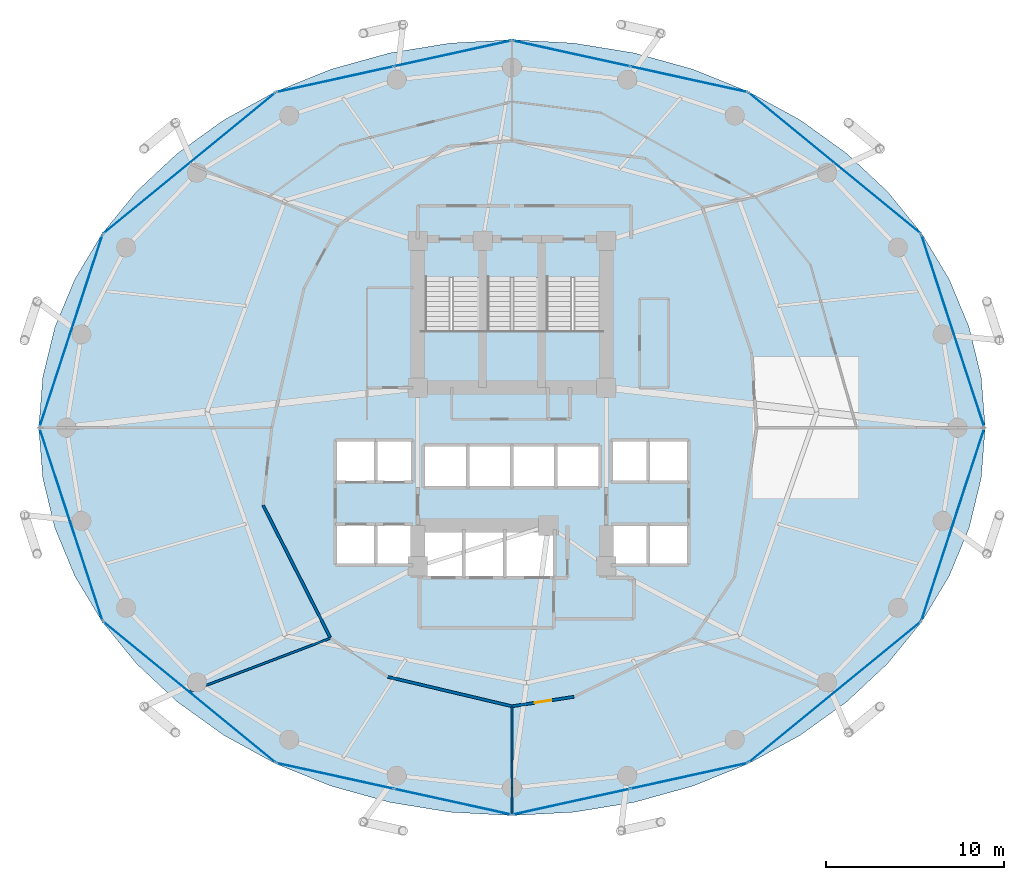
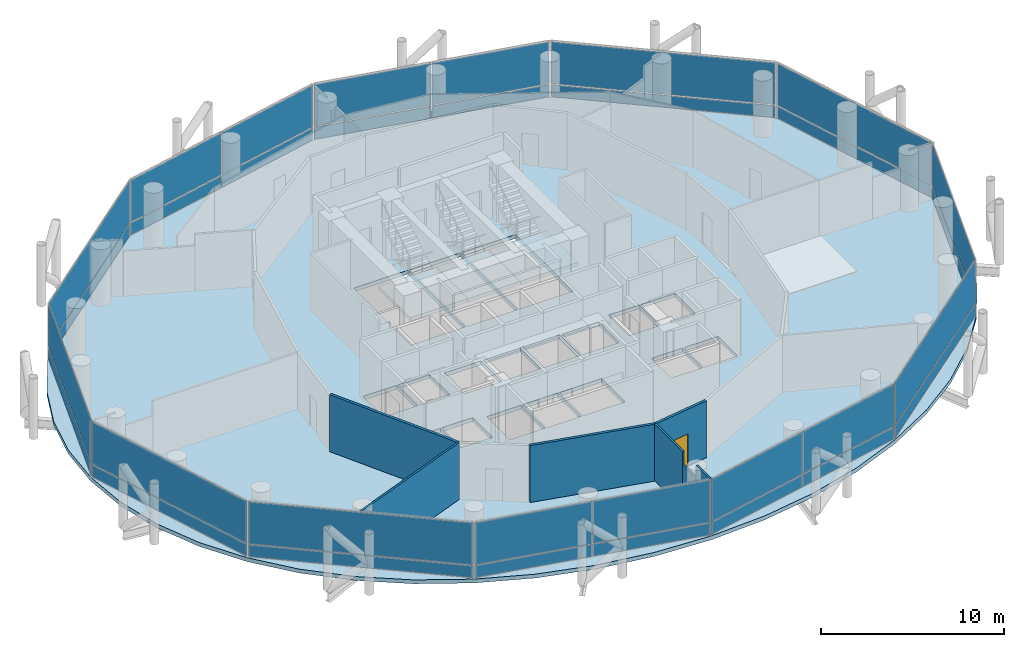
# One storey, part 20 of 26: 32 plates, 7 walls, 4 slabs, 1 door, 1 opening, 15 elements without a shape of their own.
"""IFC4 building model written with IfcOpenShell, lengths in metres."""

from ifc_helpers import new_model, si_unit, direction, frame, frame_2d, origin, origin_2d, place, context, subcontext, project, spatial, polyline, rectangle, outline, extrude, material, layer, layer_set, type_object, element, fill, aggregate, save


model = new_model("IFC4")

# Units and contexts
model_context = context("Model", 3, precision=1e-05, world=origin(), true_north=direction((0.0, 1.0)))
body_context = subcontext(model_context, "Body", "Model", "MODEL_VIEW")
ifc_project = project(units=[si_unit("LENGTHUNIT", "METRE"), si_unit("AREAUNIT", "SQUARE_METRE"), si_unit("VOLUMEUNIT", "CUBIC_METRE"), si_unit("PLANEANGLEUNIT", "RADIAN"), si_unit("MASSUNIT", "GRAM", prefix="KILO")], contexts=[model_context])

# Site, building, storey
site_placement = place(None, origin())
site = spatial("IfcSite", under=ifc_project, at=site_placement, CompositionType="ELEMENT")
building_placement = place(site_placement, origin())
building = spatial("IfcBuilding", under=site, at=building_placement, Name="Nuhasar Tower", CompositionType="ELEMENT")
storey_placement = place(building_placement, frame((0.0, 0.0, 53.39990234375)))
storey = spatial("IfcBuildingStorey", under=building, at=storey_placement, Name="L12", CompositionType="ELEMENT", Elevation=53.39990234375)

# Curtain wall, plate
ifc_material_1 = material(Name="Aluminium 6063-T6", Category="aluminium")
ifc_layer_1 = layer(ifc_material_1, 0.199951171875)
ifc_layer_set_1 = layer_set([ifc_layer_1], Name="Aluminium 6063-T6")
curtain_wall_type = type_object("IfcCurtainWallType", Name="CW-Z1-OFF", PredefinedType="NOTDEFINED", material=ifc_layer_set_1)
curtain_wall_1_placement = place(storey_placement, origin())
curtain_wall_1 = element("IfcCurtainWall", 1, at=curtain_wall_1_placement, inside=storey, type_object=curtain_wall_type, Name="L12 Unitised Curtain Wall 01", PredefinedType="NOTDEFINED")
ifc_material_2 = material(Name="Glass Double Low-E", Category="glass")
ifc_layer_2 = layer(ifc_material_2, 0.028076171875)
ifc_layer_set_2 = layer_set([ifc_layer_2], Name="Glass Double Low-E")
plate_type_1 = type_object("IfcPlateType", Name="CW-PANEL-GLZ", PredefinedType="CURTAIN_PANEL", material=ifc_layer_set_2)
plate_1_placement = place(storey_placement, frame((63.781005859375, 32.239990234375, 0.9326171875), z_axis=(0.0, 0.0, 1.0), x_axis=(-0.310823849997, 0.950467534571, 0.0)))
plate_1 = element("IfcPlate", 2, at=plate_1_placement, type_object=plate_type_1, Name="CW-Z1 panel 1.2", PredefinedType="CURTAIN_PANEL", context=body_context, shape_type="SweptSolid", body=[
    extrude(rectangle(XDim=11.31689453125, YDim=0.028076171875, at=origin_2d()), origin(), (0.0, 0.0, 1.0), 2.802490234375),
])

curtain_wall_2_placement = place(storey_placement, origin())
curtain_wall_2 = element("IfcCurtainWall", 3, at=curtain_wall_2_placement, inside=storey, type_object=curtain_wall_type, Name="L12 Unitised Curtain Wall 02", PredefinedType="NOTDEFINED")
plate_2_placement = place(storey_placement, frame((57.14111328125, 41.66259765625, 0.9326171875), z_axis=(0.0, 0.0, 1.0), x_axis=(-0.773542364946, 0.633744593376, 0.0)))
plate_2 = element("IfcPlate", 4, at=plate_2_placement, type_object=plate_type_1, Name="CW-Z1 panel 1.2", PredefinedType="CURTAIN_PANEL", context=body_context, shape_type="SweptSolid", body=[
    extrude(rectangle(XDim=12.438232421875, YDim=0.028076171875, at=origin_2d()), origin(), (0.0, 0.0, 1.0), 2.802490234375),
])

# Curtain wall, plates
curtain_wall_3_placement = place(storey_placement, origin())
curtain_wall_3 = element("IfcCurtainWall", 5, at=curtain_wall_3_placement, inside=storey, type_object=curtain_wall_type, Name="L12 Unitised Curtain Wall 03", PredefinedType="NOTDEFINED")
plate_3_placement = place(storey_placement, frame((48.944091796875, 46.377197265625, 0.9326171875), z_axis=(0.0, 0.0, 1.0), x_axis=(-0.976746221544, 0.214398737637, 0.0)))
plate_3 = element("IfcPlate", 6, at=plate_3_placement, type_object=plate_type_1, Name="CW-Z1 panel 1.2", PredefinedType="CURTAIN_PANEL", context=body_context, shape_type="SweptSolid", body=[
    extrude(rectangle(XDim=6.70068359375, YDim=0.028076171875, at=origin_2d()), origin(), (0.0, 0.0, 1.0), 2.802490234375),
])
plate_4_placement = place(storey_placement, frame((42.3359375, 47.827880859375, 0.9326171875), z_axis=(0.0, 0.0, 1.0), x_axis=(-0.976746221544, 0.214398737637, 0.0)))
plate_4 = element("IfcPlate", 7, at=plate_4_placement, type_object=plate_type_1, Name="CW-Z1 panel 2.2", PredefinedType="CURTAIN_PANEL", context=body_context, shape_type="SweptSolid", body=[
    extrude(rectangle(XDim=6.70068359375, YDim=0.028076171875, at=origin_2d()), origin(), (0.0, 0.0, 1.0), 2.802490234375),
])

curtain_wall_4_placement = place(storey_placement, origin())
curtain_wall_4 = element("IfcCurtainWall", 8, at=curtain_wall_4_placement, inside=storey, type_object=curtain_wall_type, Name="L12 Unitised Curtain Wall 04", PredefinedType="NOTDEFINED")
plate_5_placement = place(storey_placement, frame((35.6640625, 47.827880859375, 0.9326171875), z_axis=(0.0, 0.0, 1.0), x_axis=(-0.976746221544, -0.214398737637, 0.0)))
plate_5 = element("IfcPlate", 9, at=plate_5_placement, type_object=plate_type_1, Name="CW-Z1 panel 1.2", PredefinedType="CURTAIN_PANEL", context=body_context, shape_type="SweptSolid", body=[
    extrude(rectangle(XDim=6.70068359375, YDim=0.028076171875, at=origin_2d()), origin(), (0.0, 0.0, 1.0), 2.802490234375),
])
plate_6_placement = place(storey_placement, frame((29.055908203125, 46.377197265625, 0.9326171875), z_axis=(0.0, 0.0, 1.0), x_axis=(-0.976746221544, -0.214398737637, 0.0)))
plate_6 = element("IfcPlate", 10, at=plate_6_placement, type_object=plate_type_1, Name="CW-Z1 panel 2.2", PredefinedType="CURTAIN_PANEL", context=body_context, shape_type="SweptSolid", body=[
    extrude(rectangle(XDim=6.70068359375, YDim=0.028076171875, at=origin_2d()), origin(), (0.0, 0.0, 1.0), 2.802490234375),
])

# Curtain wall, plate
curtain_wall_5_placement = place(storey_placement, origin())
curtain_wall_5 = element("IfcCurtainWall", 11, at=curtain_wall_5_placement, inside=storey, type_object=curtain_wall_type, Name="L12 Unitised Curtain Wall 05", PredefinedType="NOTDEFINED")
plate_7_placement = place(storey_placement, frame((20.85888671875, 41.66259765625, 0.9326171875), z_axis=(0.0, 0.0, 1.0), x_axis=(-0.773542364946, -0.633744593376, 0.0)))
plate_7 = element("IfcPlate", 12, at=plate_7_placement, type_object=plate_type_1, Name="CW-Z1 panel 1.2", PredefinedType="CURTAIN_PANEL", context=body_context, shape_type="SweptSolid", body=[
    extrude(rectangle(XDim=12.438232421875, YDim=0.028076171875, at=origin_2d()), origin(), (0.0, 0.0, 1.0), 2.802490234375),
])

curtain_wall_6_placement = place(storey_placement, origin())
curtain_wall_6 = element("IfcCurtainWall", 13, at=curtain_wall_6_placement, inside=storey, type_object=curtain_wall_type, Name="L12 Unitised Curtain Wall 06", PredefinedType="NOTDEFINED")
plate_8_placement = place(storey_placement, frame((14.218994140625, 32.239990234375, 0.9326171875), z_axis=(0.0, 0.0, 1.0), x_axis=(-0.310823849997, -0.950467534571, 0.0)))
plate_8 = element("IfcPlate", 14, at=plate_8_placement, type_object=plate_type_1, Name="CW-Z1 panel 1.2", PredefinedType="CURTAIN_PANEL", context=body_context, shape_type="SweptSolid", body=[
    extrude(rectangle(XDim=11.31689453125, YDim=0.028076171875, at=origin_2d()), origin(), (0.0, 0.0, 1.0), 2.802490234375),
])

curtain_wall_7_placement = place(storey_placement, origin())
curtain_wall_7 = element("IfcCurtainWall", 15, at=curtain_wall_7_placement, inside=storey, type_object=curtain_wall_type, Name="L12 Unitised Curtain Wall 07", PredefinedType="NOTDEFINED")
plate_9_placement = place(storey_placement, frame((14.218994140625, 21.360107421875, 0.9326171875), z_axis=(0.0, 0.0, 1.0), x_axis=(0.310823849997, -0.950467534571, 0.0)))
plate_9 = element("IfcPlate", 16, at=plate_9_placement, type_object=plate_type_1, Name="CW-Z1 panel 1.2", PredefinedType="CURTAIN_PANEL", context=body_context, shape_type="SweptSolid", body=[
    extrude(rectangle(XDim=11.31689453125, YDim=0.028076171875, at=origin_2d()), origin(), (0.0, 0.0, 1.0), 2.802490234375),
])

curtain_wall_8_placement = place(storey_placement, origin())
curtain_wall_8 = element("IfcCurtainWall", 17, at=curtain_wall_8_placement, inside=storey, type_object=curtain_wall_type, Name="L12 Unitised Curtain Wall 08", PredefinedType="NOTDEFINED")
plate_10_placement = place(storey_placement, frame((20.85888671875, 11.9375, 0.9326171875), z_axis=(0.0, 0.0, 1.0), x_axis=(0.773542364946, -0.633744593376, 0.0)))
plate_10 = element("IfcPlate", 18, at=plate_10_placement, type_object=plate_type_1, Name="CW-Z1 panel 1.2", PredefinedType="CURTAIN_PANEL", context=body_context, shape_type="SweptSolid", body=[
    extrude(rectangle(XDim=12.438232421875, YDim=0.028076171875, at=origin_2d()), origin(), (0.0, 0.0, 1.0), 2.802490234375),
])

# Curtain wall, plates
curtain_wall_9_placement = place(storey_placement, origin())
curtain_wall_9 = element("IfcCurtainWall", 19, at=curtain_wall_9_placement, inside=storey, type_object=curtain_wall_type, Name="L12 Unitised Curtain Wall 09", PredefinedType="NOTDEFINED")
plate_11_placement = place(storey_placement, frame((29.055908203125, 7.22265625, 0.9326171875), z_axis=(0.0, 0.0, 1.0), x_axis=(0.976746221544, -0.214398737637, 0.0)))
plate_11 = element("IfcPlate", 20, at=plate_11_placement, type_object=plate_type_1, Name="CW-Z1 panel 1.2", PredefinedType="CURTAIN_PANEL", context=body_context, shape_type="SweptSolid", body=[
    extrude(rectangle(XDim=6.70068359375, YDim=0.028076171875, at=origin_2d()), origin(), (0.0, 0.0, 1.0), 2.802490234375),
])
plate_12_placement = place(storey_placement, frame((35.6640625, 5.772216796875, 0.9326171875), z_axis=(0.0, 0.0, 1.0), x_axis=(0.976746221544, -0.214398737637, 0.0)))
plate_12 = element("IfcPlate", 21, at=plate_12_placement, type_object=plate_type_1, Name="CW-Z1 panel 2.2", PredefinedType="CURTAIN_PANEL", context=body_context, shape_type="SweptSolid", body=[
    extrude(rectangle(XDim=6.70068359375, YDim=0.028076171875, at=origin_2d()), origin(), (0.0, 0.0, 1.0), 2.802490234375),
])

curtain_wall_10_placement = place(storey_placement, origin())
curtain_wall_10 = element("IfcCurtainWall", 22, at=curtain_wall_10_placement, inside=storey, type_object=curtain_wall_type, Name="L12 Unitised Curtain Wall 10", PredefinedType="NOTDEFINED")
plate_13_placement = place(storey_placement, frame((42.3359375, 5.772216796875, 0.9326171875), z_axis=(0.0, 0.0, 1.0), x_axis=(0.976746221544, 0.214398737637, 0.0)))
plate_13 = element("IfcPlate", 23, at=plate_13_placement, type_object=plate_type_1, Name="CW-Z1 panel 1.2", PredefinedType="CURTAIN_PANEL", context=body_context, shape_type="SweptSolid", body=[
    extrude(rectangle(XDim=6.70068359375, YDim=0.028076171875, at=origin_2d()), origin(), (0.0, 0.0, 1.0), 2.802490234375),
])
plate_14_placement = place(storey_placement, frame((48.944091796875, 7.22265625, 0.9326171875), z_axis=(0.0, 0.0, 1.0), x_axis=(0.976746221544, 0.214398737637, 0.0)))
plate_14 = element("IfcPlate", 24, at=plate_14_placement, type_object=plate_type_1, Name="CW-Z1 panel 2.2", PredefinedType="CURTAIN_PANEL", context=body_context, shape_type="SweptSolid", body=[
    extrude(rectangle(XDim=6.70068359375, YDim=0.028076171875, at=origin_2d()), origin(), (0.0, 0.0, 1.0), 2.802490234375),
])

# Curtain wall, plate
curtain_wall_11_placement = place(storey_placement, origin())
curtain_wall_11 = element("IfcCurtainWall", 25, at=curtain_wall_11_placement, inside=storey, type_object=curtain_wall_type, Name="L12 Unitised Curtain Wall 11", PredefinedType="NOTDEFINED")
plate_15_placement = place(storey_placement, frame((57.14111328125, 11.9375, 0.9326171875), z_axis=(0.0, 0.0, 1.0), x_axis=(0.773542364946, 0.633744593376, 0.0)))
plate_15 = element("IfcPlate", 26, at=plate_15_placement, type_object=plate_type_1, Name="CW-Z1 panel 1.2", PredefinedType="CURTAIN_PANEL", context=body_context, shape_type="SweptSolid", body=[
    extrude(rectangle(XDim=12.438232421875, YDim=0.028076171875, at=origin_2d()), origin(), (0.0, 0.0, 1.0), 2.802490234375),
])

curtain_wall_12_placement = place(storey_placement, origin())
curtain_wall_12 = element("IfcCurtainWall", 27, at=curtain_wall_12_placement, inside=storey, type_object=curtain_wall_type, Name="L12 Unitised Curtain Wall 12", PredefinedType="NOTDEFINED")
plate_16_placement = place(storey_placement, frame((63.781005859375, 21.360107421875, 0.9326171875), z_axis=(0.0, 0.0, 1.0), x_axis=(0.310823849997, 0.950467534571, 0.0)))
plate_16 = element("IfcPlate", 28, at=plate_16_placement, type_object=plate_type_1, Name="CW-Z1 panel 1.2", PredefinedType="CURTAIN_PANEL", context=body_context, shape_type="SweptSolid", body=[
    extrude(rectangle(XDim=11.31689453125, YDim=0.028076171875, at=origin_2d()), origin(), (0.0, 0.0, 1.0), 2.802490234375),
])

# Plate
ifc_material_3 = material(Name="Glass Spandrel", Category="glass")
ifc_layer_3 = layer(ifc_material_3, 0.035888671875)
ifc_layer_set_3 = layer_set([ifc_layer_3], Name="Glass Spandrel")
plate_type_2 = type_object("IfcPlateType", Name="CW-PANEL-SPN", PredefinedType="CURTAIN_PANEL", material=ifc_layer_set_3)
plate_17_placement = place(storey_placement, frame((63.781005859375, 32.239990234375, 0.06494140625), z_axis=(0.0, 0.0, 1.0), x_axis=(-0.310823849997, 0.950467534571, 0.0)))
plate_17 = element("IfcPlate", 29, at=plate_17_placement, type_object=plate_type_2, Name="CW-Z1 panel 1.1", PredefinedType="CURTAIN_PANEL", context=body_context, shape_type="SweptSolid", body=[
    extrude(rectangle(XDim=11.31689453125, YDim=0.035888671875, at=origin_2d()), origin(), (0.0, 0.0, 1.0), 0.802490234375),
])

aggregate(curtain_wall_1, [plate_17, plate_1])

plate_18_placement = place(storey_placement, frame((57.14111328125, 41.66259765625, 0.06494140625), z_axis=(0.0, 0.0, 1.0), x_axis=(-0.773542364946, 0.633744593376, 0.0)))
plate_18 = element("IfcPlate", 30, at=plate_18_placement, type_object=plate_type_2, Name="CW-Z1 panel 1.1", PredefinedType="CURTAIN_PANEL", context=body_context, shape_type="SweptSolid", body=[
    extrude(rectangle(XDim=12.438232421875, YDim=0.035888671875, at=origin_2d()), origin(), (0.0, 0.0, 1.0), 0.802490234375),
])

aggregate(curtain_wall_2, [plate_18, plate_2])

plate_19_placement = place(storey_placement, frame((48.944091796875, 46.377197265625, 0.06494140625), z_axis=(0.0, 0.0, 1.0), x_axis=(-0.976746221544, 0.214398737637, 0.0)))
plate_19 = element("IfcPlate", 31, at=plate_19_placement, type_object=plate_type_2, Name="CW-Z1 panel 1.1", PredefinedType="CURTAIN_PANEL", context=body_context, shape_type="SweptSolid", body=[
    extrude(rectangle(XDim=6.70068359375, YDim=0.035888671875, at=origin_2d()), origin(), (0.0, 0.0, 1.0), 0.802490234375),
])

plate_20_placement = place(storey_placement, frame((42.3359375, 47.827880859375, 0.06494140625), z_axis=(0.0, 0.0, 1.0), x_axis=(-0.976746221544, 0.214398737637, 0.0)))
plate_20 = element("IfcPlate", 32, at=plate_20_placement, type_object=plate_type_2, Name="CW-Z1 panel 2.1", PredefinedType="CURTAIN_PANEL", context=body_context, shape_type="SweptSolid", body=[
    extrude(rectangle(XDim=6.70068359375, YDim=0.035888671875, at=origin_2d()), origin(), (0.0, 0.0, 1.0), 0.802490234375),
])

aggregate(curtain_wall_3, [plate_19, plate_3, plate_20, plate_4])

plate_21_placement = place(storey_placement, frame((35.6640625, 47.827880859375, 0.06494140625), z_axis=(0.0, 0.0, 1.0), x_axis=(-0.976746221544, -0.214398737637, 0.0)))
plate_21 = element("IfcPlate", 33, at=plate_21_placement, type_object=plate_type_2, Name="CW-Z1 panel 1.1", PredefinedType="CURTAIN_PANEL", context=body_context, shape_type="SweptSolid", body=[
    extrude(rectangle(XDim=6.70068359375, YDim=0.035888671875, at=origin_2d()), origin(), (0.0, 0.0, 1.0), 0.802490234375),
])

plate_22_placement = place(storey_placement, frame((29.055908203125, 46.377197265625, 0.06494140625), z_axis=(0.0, 0.0, 1.0), x_axis=(-0.976746221544, -0.214398737637, 0.0)))
plate_22 = element("IfcPlate", 34, at=plate_22_placement, type_object=plate_type_2, Name="CW-Z1 panel 2.1", PredefinedType="CURTAIN_PANEL", context=body_context, shape_type="SweptSolid", body=[
    extrude(rectangle(XDim=6.70068359375, YDim=0.035888671875, at=origin_2d()), origin(), (0.0, 0.0, 1.0), 0.802490234375),
])

aggregate(curtain_wall_4, [plate_21, plate_5, plate_22, plate_6])

plate_23_placement = place(storey_placement, frame((20.85888671875, 41.66259765625, 0.06494140625), z_axis=(0.0, 0.0, 1.0), x_axis=(-0.773542364946, -0.633744593376, 0.0)))
plate_23 = element("IfcPlate", 35, at=plate_23_placement, type_object=plate_type_2, Name="CW-Z1 panel 1.1", PredefinedType="CURTAIN_PANEL", context=body_context, shape_type="SweptSolid", body=[
    extrude(rectangle(XDim=12.438232421875, YDim=0.035888671875, at=origin_2d()), origin(), (0.0, 0.0, 1.0), 0.802490234375),
])

aggregate(curtain_wall_5, [plate_23, plate_7])

plate_24_placement = place(storey_placement, frame((14.218994140625, 32.239990234375, 0.06494140625), z_axis=(0.0, 0.0, 1.0), x_axis=(-0.310823849997, -0.950467534571, 0.0)))
plate_24 = element("IfcPlate", 36, at=plate_24_placement, type_object=plate_type_2, Name="CW-Z1 panel 1.1", PredefinedType="CURTAIN_PANEL", context=body_context, shape_type="SweptSolid", body=[
    extrude(rectangle(XDim=11.31689453125, YDim=0.035888671875, at=origin_2d()), origin(), (0.0, 0.0, 1.0), 0.802490234375),
])

aggregate(curtain_wall_6, [plate_24, plate_8])

plate_25_placement = place(storey_placement, frame((14.218994140625, 21.360107421875, 0.06494140625), z_axis=(0.0, 0.0, 1.0), x_axis=(0.310823849997, -0.950467534571, 0.0)))
plate_25 = element("IfcPlate", 37, at=plate_25_placement, type_object=plate_type_2, Name="CW-Z1 panel 1.1", PredefinedType="CURTAIN_PANEL", context=body_context, shape_type="SweptSolid", body=[
    extrude(rectangle(XDim=11.31689453125, YDim=0.035888671875, at=origin_2d()), origin(), (0.0, 0.0, 1.0), 0.802490234375),
])

aggregate(curtain_wall_7, [plate_25, plate_9])

plate_26_placement = place(storey_placement, frame((20.85888671875, 11.9375, 0.06494140625), z_axis=(0.0, 0.0, 1.0), x_axis=(0.773542364946, -0.633744593376, 0.0)))
plate_26 = element("IfcPlate", 38, at=plate_26_placement, type_object=plate_type_2, Name="CW-Z1 panel 1.1", PredefinedType="CURTAIN_PANEL", context=body_context, shape_type="SweptSolid", body=[
    extrude(rectangle(XDim=12.438232421875, YDim=0.035888671875, at=origin_2d()), origin(), (0.0, 0.0, 1.0), 0.802490234375),
])

aggregate(curtain_wall_8, [plate_26, plate_10])

plate_27_placement = place(storey_placement, frame((29.055908203125, 7.22265625, 0.06494140625), z_axis=(0.0, 0.0, 1.0), x_axis=(0.976746221544, -0.214398737637, 0.0)))
plate_27 = element("IfcPlate", 39, at=plate_27_placement, type_object=plate_type_2, Name="CW-Z1 panel 1.1", PredefinedType="CURTAIN_PANEL", context=body_context, shape_type="SweptSolid", body=[
    extrude(rectangle(XDim=6.70068359375, YDim=0.035888671875, at=origin_2d()), origin(), (0.0, 0.0, 1.0), 0.802490234375),
])

plate_28_placement = place(storey_placement, frame((35.6640625, 5.772216796875, 0.06494140625), z_axis=(0.0, 0.0, 1.0), x_axis=(0.976746221544, -0.214398737637, 0.0)))
plate_28 = element("IfcPlate", 40, at=plate_28_placement, type_object=plate_type_2, Name="CW-Z1 panel 2.1", PredefinedType="CURTAIN_PANEL", context=body_context, shape_type="SweptSolid", body=[
    extrude(rectangle(XDim=6.70068359375, YDim=0.035888671875, at=origin_2d()), origin(), (0.0, 0.0, 1.0), 0.802490234375),
])

aggregate(curtain_wall_9, [plate_27, plate_11, plate_28, plate_12])

plate_29_placement = place(storey_placement, frame((42.3359375, 5.772216796875, 0.06494140625), z_axis=(0.0, 0.0, 1.0), x_axis=(0.976746221544, 0.214398737637, 0.0)))
plate_29 = element("IfcPlate", 41, at=plate_29_placement, type_object=plate_type_2, Name="CW-Z1 panel 1.1", PredefinedType="CURTAIN_PANEL", context=body_context, shape_type="SweptSolid", body=[
    extrude(rectangle(XDim=6.70068359375, YDim=0.035888671875, at=origin_2d()), origin(), (0.0, 0.0, 1.0), 0.802490234375),
])

plate_30_placement = place(storey_placement, frame((48.944091796875, 7.22265625, 0.06494140625), z_axis=(0.0, 0.0, 1.0), x_axis=(0.976746221544, 0.214398737637, 0.0)))
plate_30 = element("IfcPlate", 42, at=plate_30_placement, type_object=plate_type_2, Name="CW-Z1 panel 2.1", PredefinedType="CURTAIN_PANEL", context=body_context, shape_type="SweptSolid", body=[
    extrude(rectangle(XDim=6.70068359375, YDim=0.035888671875, at=origin_2d()), origin(), (0.0, 0.0, 1.0), 0.802490234375),
])

aggregate(curtain_wall_10, [plate_29, plate_13, plate_30, plate_14])

plate_31_placement = place(storey_placement, frame((57.14111328125, 11.9375, 0.06494140625), z_axis=(0.0, 0.0, 1.0), x_axis=(0.773542364946, 0.633744593376, 0.0)))
plate_31 = element("IfcPlate", 43, at=plate_31_placement, type_object=plate_type_2, Name="CW-Z1 panel 1.1", PredefinedType="CURTAIN_PANEL", context=body_context, shape_type="SweptSolid", body=[
    extrude(rectangle(XDim=12.438232421875, YDim=0.035888671875, at=origin_2d()), origin(), (0.0, 0.0, 1.0), 0.802490234375),
])

aggregate(curtain_wall_11, [plate_31, plate_15])

plate_32_placement = place(storey_placement, frame((63.781005859375, 21.360107421875, 0.06494140625), z_axis=(0.0, 0.0, 1.0), x_axis=(0.310823849997, 0.950467534571, 0.0)))
plate_32 = element("IfcPlate", 44, at=plate_32_placement, type_object=plate_type_2, Name="CW-Z1 panel 1.1", PredefinedType="CURTAIN_PANEL", context=body_context, shape_type="SweptSolid", body=[
    extrude(rectangle(XDim=11.31689453125, YDim=0.035888671875, at=origin_2d()), origin(), (0.0, 0.0, 1.0), 0.802490234375),
])

aggregate(curtain_wall_12, [plate_32, plate_16])

# Stair, slab
ifc_material_4 = material(Name="Concrete C45/55", Category="concrete")
stair_type_1 = type_object("IfcStairType", Name="STR-ST-01-2F-24R-1688", PredefinedType="HALF_TURN_STAIR", material=ifc_material_4)
stair_1_placement = place(storey_placement, origin())
stair_1 = element("IfcStair", 45, at=stair_1_placement, inside=storey, type_object=stair_type_1, Name="L12 Exit Stair ST-01", PredefinedType="HALF_TURN_STAIR")
ifc_layer_4 = layer(ifc_material_4, 0.239990234375)
ifc_layer_set_4 = layer_set([ifc_layer_4], Name="Concrete C45/55")
slab_type_1 = type_object("IfcSlabType", Name="SLB-STAIR-LND-240", PredefinedType="LANDING", material=ifc_layer_set_4)
slab_1_placement = place(storey_placement, frame((0.0, 0.0, 1.78515625)))
slab_1 = element("IfcSlab", 46, at=slab_1_placement, type_object=slab_type_1, Name="ST-01 landing 1", PredefinedType="LANDING", context=body_context, shape_type="SweptSolid", body=[
    extrude(outline(polyline([(33.699951171875, 28.75), (37.35009765625, 28.75), (37.35009765625, 32.239990234375), (33.699951171875, 32.239990234375), (33.699951171875, 28.75)])), origin(), (0.0, 0.0, 1.0), 0.239990234375),
])
aggregate(stair_1, [slab_1])

stair_type_2 = type_object("IfcStairType", Name="STR-ST-03-2F-24R-1688", PredefinedType="HALF_TURN_STAIR", material=ifc_material_4)
stair_2_placement = place(storey_placement, origin())
stair_2 = element("IfcStair", 47, at=stair_2_placement, inside=storey, type_object=stair_type_2, Name="L12 Exit Stair ST-03", PredefinedType="HALF_TURN_STAIR")
slab_2_placement = place(storey_placement, frame((0.0, 0.0, 1.78515625)))
slab_2 = element("IfcSlab", 48, at=slab_2_placement, type_object=slab_type_1, Name="ST-03 landing 1", PredefinedType="LANDING", context=body_context, shape_type="SweptSolid", body=[
    extrude(outline(polyline([(37.35009765625, 28.75), (40.64990234375, 28.75), (40.64990234375, 32.239990234375), (37.35009765625, 32.239990234375), (37.35009765625, 28.75)])), origin(), (0.0, 0.0, 1.0), 0.239990234375),
])
aggregate(stair_2, [slab_2])

stair_type_3 = type_object("IfcStairType", Name="STR-ST-02-2F-24R-1688", PredefinedType="HALF_TURN_STAIR", material=ifc_material_4)
stair_3_placement = place(storey_placement, origin())
stair_3 = element("IfcStair", 49, at=stair_3_placement, inside=storey, type_object=stair_type_3, Name="L12 Exit Stair ST-02", PredefinedType="HALF_TURN_STAIR")
slab_3_placement = place(storey_placement, frame((0.0, 0.0, 1.78515625)))
slab_3 = element("IfcSlab", 50, at=slab_3_placement, type_object=slab_type_1, Name="ST-02 landing 1", PredefinedType="LANDING", context=body_context, shape_type="SweptSolid", body=[
    extrude(outline(polyline([(40.64990234375, 28.75), (44.300048828125, 28.75), (44.300048828125, 32.239990234375), (40.64990234375, 32.239990234375), (40.64990234375, 28.75)])), origin(), (0.0, 0.0, 1.0), 0.239990234375),
])
aggregate(stair_3, [slab_3])

# Slab
ifc_material_5 = material(Name="Concrete C50/60", Category="concrete")
ifc_layer_5 = layer(ifc_material_5, 0.260009765625)
ifc_layer_set_5 = layer_set([ifc_layer_5], Name="Concrete C50/60")
slab_type_2 = type_object("IfcSlabType", Name="SLB-Z1A-260", PredefinedType="FLOOR", material=ifc_layer_set_5)
slab_4_placement = place(storey_placement, frame((0.0, 0.0, -0.260009765625)))
element("IfcSlab", 51, at=slab_4_placement, inside=storey, type_object=slab_type_2, Name="L12 Structural Slab", PredefinedType="FLOOR", context=body_context, shape_type="SweptSolid", body=[
    extrude(outline(polyline([(65.60009765625, 26.800048828125), (65.3720703125, 29.64501953125), (64.694091796875, 32.44189453125), (63.574951171875, 35.14208984375), (62.035888671875, 37.699951171875), (60.10302734375, 40.071044921875), (57.80908203125, 42.215087890625), (55.193115234375, 44.094970703125), (52.300048828125, 45.678955078125), (49.178955078125, 46.94091796875), (45.885009765625, 47.85693359375), (42.471923828125, 48.4130859375), (39.0, 48.60009765625), (35.528076171875, 48.4130859375), (32.114990234375, 47.85693359375), (28.821044921875, 46.94091796875), (25.699951171875, 45.678955078125), (22.806884765625, 44.094970703125), (20.19091796875, 42.215087890625), (17.89697265625, 40.071044921875), (15.964111328125, 37.699951171875), (14.425048828125, 35.14208984375), (13.305908203125, 32.44189453125), (12.6279296875, 29.64501953125), (12.39990234375, 26.800048828125), (12.6279296875, 23.955078125), (13.305908203125, 21.157958984375), (14.425048828125, 18.4580078125), (15.964111328125, 15.89990234375), (17.89697265625, 13.529052734375), (20.19091796875, 11.385009765625), (22.806884765625, 9.5048828125), (25.699951171875, 7.9208984375), (28.821044921875, 6.658935546875), (32.114990234375, 5.742919921875), (35.528076171875, 5.18701171875), (39.0, 5.0), (42.471923828125, 5.18701171875), (45.885009765625, 5.742919921875), (49.178955078125, 6.658935546875), (52.300048828125, 7.9208984375), (55.193115234375, 9.5048828125), (57.80908203125, 11.385009765625), (60.10302734375, 13.529052734375), (62.035888671875, 15.89990234375), (63.574951171875, 18.4580078125), (64.694091796875, 21.157958984375), (65.3720703125, 23.955078125), (65.60009765625, 26.800048828125)]), holes=[polyline([(33.8798828125, 35.25), (37.300048828125, 35.25), (37.300048828125, 29.0), (33.8798828125, 29.0), (33.8798828125, 35.25)]), polyline([(37.39990234375, 35.25), (40.60009765625, 35.25), (40.60009765625, 29.0), (37.39990234375, 29.0), (37.39990234375, 35.25)]), polyline([(40.699951171875, 35.25), (44.1201171875, 35.25), (44.1201171875, 29.0), (40.699951171875, 29.0), (40.699951171875, 35.25)]), polyline([(29.14990234375, 26.050048828125), (31.300048828125, 26.050048828125), (31.300048828125, 23.800048828125), (29.14990234375, 23.800048828125), (29.14990234375, 26.050048828125)]), polyline([(31.39990234375, 26.050048828125), (33.35009765625, 26.050048828125), (33.35009765625, 23.800048828125), (31.39990234375, 23.800048828125), (31.39990234375, 26.050048828125)]), polyline([(29.14990234375, 21.300048828125), (31.300048828125, 21.300048828125), (31.300048828125, 19.14990234375), (29.14990234375, 19.14990234375), (29.14990234375, 21.300048828125)]), polyline([(31.39990234375, 21.300048828125), (33.35009765625, 21.300048828125), (33.35009765625, 19.14990234375), (31.39990234375, 19.14990234375), (31.39990234375, 21.300048828125)]), polyline([(44.64990234375, 26.050048828125), (46.60009765625, 26.050048828125), (46.60009765625, 23.800048828125), (44.64990234375, 23.800048828125), (44.64990234375, 26.050048828125)]), polyline([(46.699951171875, 26.050048828125), (48.85009765625, 26.050048828125), (48.85009765625, 23.800048828125), (46.699951171875, 23.800048828125), (46.699951171875, 26.050048828125)]), polyline([(44.64990234375, 21.300048828125), (46.60009765625, 21.300048828125), (46.60009765625, 19.14990234375), (44.64990234375, 19.14990234375), (44.64990234375, 21.300048828125)]), polyline([(46.699951171875, 21.300048828125), (48.85009765625, 21.300048828125), (48.85009765625, 19.14990234375), (46.699951171875, 19.14990234375), (46.699951171875, 21.300048828125)]), polyline([(34.10009765625, 25.75), (36.43994140625, 25.75), (36.43994140625, 23.5), (34.10009765625, 23.5), (34.10009765625, 25.75)]), polyline([(36.580078125, 25.75), (38.919921875, 25.75), (38.919921875, 23.5), (36.580078125, 23.5), (36.580078125, 25.75)]), polyline([(39.06005859375, 25.75), (41.39990234375, 25.75), (41.39990234375, 23.5), (39.06005859375, 23.5), (39.06005859375, 25.75)]), polyline([(41.5400390625, 25.75), (43.8798828125, 25.75), (43.8798828125, 23.5), (41.5400390625, 23.5), (41.5400390625, 25.75)]), polyline([(34.050048828125, 21.0), (36.25, 21.0), (36.25, 18.449951171875), (34.050048828125, 18.449951171875), (34.050048828125, 21.0)]), polyline([(36.35009765625, 21.0), (38.550048828125, 21.0), (38.550048828125, 18.449951171875), (36.35009765625, 18.449951171875), (36.35009765625, 21.0)]), polyline([(38.64990234375, 21.0), (41.320068359375, 21.0), (41.320068359375, 18.449951171875), (38.64990234375, 18.449951171875), (38.64990234375, 21.0)])]), origin(), (0.0, 0.0, 1.0), 0.260009765625),
])

# Walls
ifc_material_6 = material(Name="Gypsum Board", Category="gypsum")
ifc_layer_6 = layer(ifc_material_6, 0.159912109375)
ifc_layer_set_6 = layer_set([ifc_layer_6], Name="Gypsum Board")
wall_type_1 = type_object("IfcWallType", Name="WL-CORR-160", PredefinedType="PARTITIONING", material=ifc_layer_set_6)
wall_1_placement = place(storey_placement, frame((25.0048828125, 22.449951171875, 0.0), z_axis=(0.0, 0.0, 1.0), x_axis=(0.452560985886, -0.8917334546, 0.0)))
element("IfcWall", 52, at=wall_1_placement, inside=storey, type_object=wall_type_1, Name="L12 Interior Partition CORR-26", PredefinedType="PARTITIONING", context=body_context, shape_type="SweptSolid", body=[
    extrude(rectangle(XDim=8.38818359375, YDim=0.159912109375, at=frame_2d((4.194091796875, 0.0))), origin(), (0.0, 0.0, 1.0), 3.800048828125),
])
wall_2_placement = place(storey_placement, frame((32.027099609375, 12.7900390625, 0.0), z_axis=(0.0, 0.0, 1.0), x_axis=(0.973121894952, -0.230290637162, 0.0)))
element("IfcWall", 53, at=wall_2_placement, inside=storey, type_object=wall_type_1, Name="L12 Interior Partition CORR-32", PredefinedType="PARTITIONING", context=body_context, shape_type="SweptSolid", body=[
    extrude(rectangle(XDim=7.16552734375, YDim=0.159912109375, at=frame_2d((3.582763671875, 0.0))), origin(), (0.0, 0.0, 1.0), 3.800048828125),
])

# Wall, opening, door
wall_3_placement = place(storey_placement, frame((42.493896484375, 11.674072265625, 0.0), z_axis=(0.0, 0.0, 1.0), x_axis=(-0.988513405878, -0.151133207467, 0.0)))
wall_3 = element("IfcWall", 54, at=wall_3_placement, inside=storey, type_object=wall_type_1, Name="L12 Interior Partition CORR-36", PredefinedType="PARTITIONING", context=body_context, shape_type="SweptSolid", body=[
    extrude(rectangle(XDim=3.534423828125, YDim=0.159912109375, at=frame_2d((1.76708984375, 0.0))), origin(), (0.0, 0.0, 1.0), 3.800048828125),
])
opening_placement = place(wall_3_placement, frame((1.2919921875, 0.0, 0.0)))
opening = element("IfcOpeningElement", 55, at=opening_placement, cuts=wall_3, Name="Opening DO-01", PredefinedType="OPENING", context=body_context, shape_type="SweptSolid", body=[
    extrude(rectangle(XDim=0.949951171875, YDim=2.14990234375, at=frame_2d((0.47509765625, 1.074951171875))), frame((0.0, 0.08984375, 0.0), z_axis=(0.0, -1.0, 0.0), x_axis=(1.0, 0.0, 0.0)), (0.0, 0.0, 1.0), 0.179931640625),
])
ifc_material_7 = material(Name="Timber Oak", Category="wood")
door_type = type_object("IfcDoorType", Name="DR-OFFICE-FD30-950", OperationType="NOTDEFINED", PredefinedType="DOOR", material=ifc_material_7)
door_placement = place(opening_placement, origin())
door = element("IfcDoor", 56, at=door_placement, inside=storey, type_object=door_type, Name="L12 Legal Chambers D Entry Door", OperationType="SINGLE_SWING_LEFT", OverallHeight=2.14990234375, OverallWidth=0.949951171875, PredefinedType="DOOR", context=body_context, shape_type="SweptSolid", body=[
    extrude(rectangle(XDim=0.949951171875, YDim=2.14990234375, at=frame_2d((0.47509765625, 1.074951171875))), frame((0.0, 0.02490234375, 0.0), z_axis=(0.0, -1.0, 0.0), x_axis=(1.0, 0.0, 0.0)), (0.0, 0.0, 1.0), 0.050048828125),
])
fill(opening, door)

# Walls
ifc_layer_7 = layer(ifc_material_6, 0.125)
ifc_layer_set_7 = layer_set([ifc_layer_7], Name="Gypsum Board")
wall_type_2 = type_object("IfcWallType", Name="WL-PART-125", PredefinedType="PARTITIONING", material=ifc_layer_set_7)
wall_4_placement = place(storey_placement, frame((28.801025390625, 14.969970703125, 0.0), z_axis=(0.0, 0.0, 1.0), x_axis=(-0.934813821548, -0.355138168947, 0.0)))
element("IfcWall", 57, at=wall_4_placement, inside=storey, type_object=wall_type_2, Name="L12 Interior Partition ORAD-30", PredefinedType="PARTITIONING", context=body_context, shape_type="SweptSolid", body=[
    extrude(rectangle(XDim=8.47021484375, YDim=0.125, at=frame_2d((4.235107421875, 0.0))), origin(), (0.0, 0.0, 1.0), 3.800048828125),
])
wall_5_placement = place(storey_placement, frame((39.0, 11.139892578125, 0.0), z_axis=(0.0, 0.0, 1.0), x_axis=(0.0, -1.0, 0.0)))
element("IfcWall", 58, at=wall_5_placement, inside=storey, type_object=wall_type_2, Name="L12 Interior Partition ORAD-36", PredefinedType="PARTITIONING", context=body_context, shape_type="SweptSolid", body=[
    extrude(rectangle(XDim=3.079833984375, YDim=0.125, at=frame_2d((1.5400390625, 0.0))), origin(), (0.0, 0.0, 1.0), 3.800048828125),
])
wall_6_placement = place(storey_placement, frame((39.0, 8.06005859375, 0.0), z_axis=(0.0, 0.0, 1.0), x_axis=(0.0, -1.0, 0.0)))
element("IfcWall", 59, at=wall_6_placement, inside=storey, type_object=wall_type_2, Name="L12 Interior Partition ORAD-36", PredefinedType="PARTITIONING", context=body_context, shape_type="SweptSolid", body=[
    extrude(rectangle(XDim=1.51904296875, YDim=0.125, at=frame_2d((0.759521484375, 0.0))), origin(), (0.0, 0.0, 1.0), 2.940185546875),
])
wall_7_placement = place(storey_placement, frame((39.0, 6.541015625, 0.0), z_axis=(0.0, 0.0, 1.0), x_axis=(0.0, -1.0, 0.0)))
element("IfcWall", 60, at=wall_7_placement, inside=storey, type_object=wall_type_2, Name="L12 Interior Partition ORAD-36", PredefinedType="PARTITIONING", context=body_context, shape_type="SweptSolid", body=[
    extrude(rectangle(XDim=1.466064453125, YDim=0.125, at=frame_2d((0.73291015625, 0.0))), origin(), (0.0, 0.0, 1.0), 3.800048828125),
])

save(model, "model.ifc")
